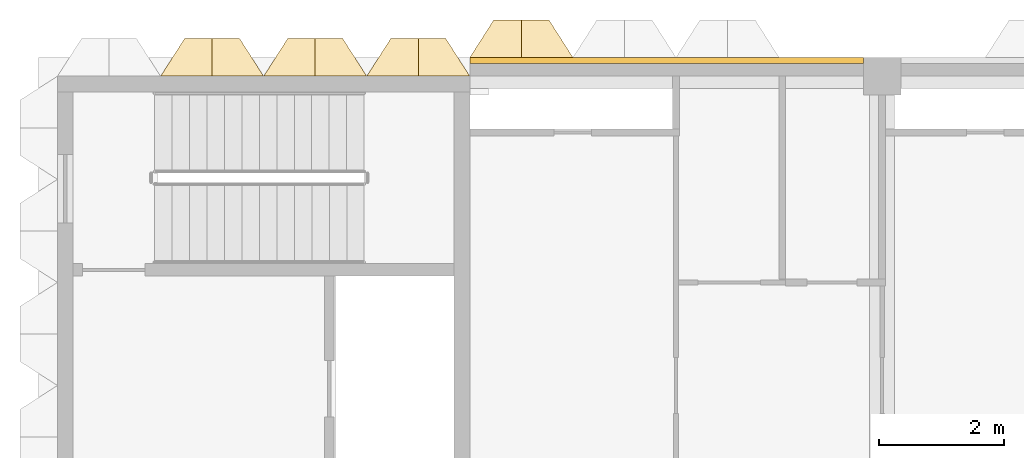
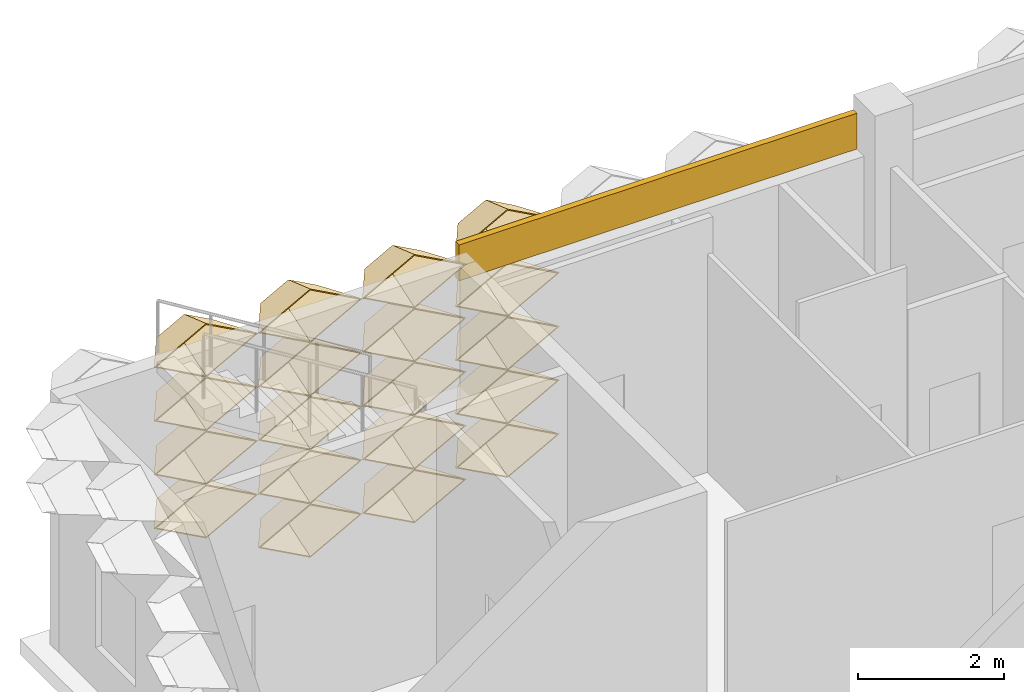
# One storey, part 77 of 87: 20 coverings.
"""IFC4 building model written with IfcOpenShell, lengths in metres."""

from ifc_helpers import new_model, entity, si_unit, direction, frame, frame_2d, origin, place, context, subcontext, project, spatial, rectangle, extrude, material, layer, layer_set, type_object, element, save


model = new_model("IFC4")

# Units and contexts
model_context = context("Model", 3, precision=1e-05, world=origin(), true_north=direction((0.0, 1.0)))
body_context = subcontext(model_context, "Body", "Model", "MODEL_VIEW")
ifc_project = project(units=[si_unit("LENGTHUNIT", "METRE"), si_unit("AREAUNIT", "SQUARE_METRE"), si_unit("VOLUMEUNIT", "CUBIC_METRE"), si_unit("PLANEANGLEUNIT", "RADIAN"), si_unit("MASSUNIT", "GRAM", prefix="KILO")], contexts=[model_context])

# Site, building, storey
site_placement = place(None, origin())
site = spatial("IfcSite", under=ifc_project, at=site_placement, CompositionType="ELEMENT")
building_placement = place(site_placement, origin())
building = spatial("IfcBuilding", under=site, at=building_placement, Name="Lantern Court Research Institute", CompositionType="ELEMENT")
storey_placement = place(building_placement, frame((0.0, 0.0, 5.39990234375)))
storey = spatial("IfcBuildingStorey", under=building, at=storey_placement, Name="L01", CompositionType="ELEMENT", Elevation=5.39990234375)

# Coverings
ifc_material_1 = material(Name="Aluminium composite panel with mineral wool insulation", Category="aluminium")
ifc_layer_1 = layer(ifc_material_1, 0.10009765625)
ifc_layer_set_1 = layer_set([ifc_layer_1], Name="Aluminium composite panel with mineral wool insulation")
covering_type_1 = type_object("IfcCoveringType", Name="Edge fascia panel 100 aluminium faced", PredefinedType="CLADDING", material=ifc_layer_set_1)
covering_1_placement = place(storey_placement, frame((6.60009765625, 99.25, 3.650146484375), z_axis=(0.0, 0.0, 1.0), x_axis=(1.0, 0.0, 0.0)))
element("IfcCovering", 1, at=covering_1_placement, inside=storey, type_object=covering_type_1, Name="Edge fascia V6N L01 01", PredefinedType="CLADDING", context=body_context, shape_type="SweptSolid", body=[
    extrude(rectangle(XDim=6.2998046875, YDim=0.10009765625, at=frame_2d((3.14990234375, 0.0))), origin(), (0.0, 0.0, 1.0), 0.599853515625),
])
ifc_material_2 = material(Name="Anodised aluminium", Category="aluminium")
ifc_layer_2 = layer(ifc_material_2, 0.01611328125)
ifc_layer_set_2 = layer_set([ifc_layer_2], Name="Anodised aluminium")
covering_type_2 = type_object("IfcCoveringType", Name="Fin cassette 1650 x 900 x 600 aluminium", PredefinedType="CLADDING", material=ifc_layer_set_2)
covering_2_placement = place(storey_placement, frame((4.125, 99.0, 0.4501953125), z_axis=(0.0, 1.0, 0.0), x_axis=(-1.0, 0.0, 0.0)))
cartesian_point_1 = entity("IfcCartesianPoint", [0.824951171875, 0.0])
cartesian_point_2 = entity("IfcCartesianPoint", [0.79150390625, 0.0])
cartesian_point_3 = entity("IfcCartesianPoint", [0.44189453125, 0.0])
cartesian_point_4 = entity("IfcCartesianPoint", [0.43359375, 0.0])
element("IfcCovering", 2, at=covering_2_placement, inside=storey, type_object=covering_type_2, Name="Fin cassette V6N-L01 1.3", PredefinedType="CLADDING", context=body_context, shape_type="SweptSolid", body=[
    entity("IfcExtrudedAreaSolidTapered", entity("IfcArbitraryProfileDefWithVoids", "AREA", None, entity("IfcPolyline", [cartesian_point_1, entity("IfcCartesianPoint", [0.0, 0.449951171875]), entity("IfcCartesianPoint", [-0.824951171875, 0.0]), entity("IfcCartesianPoint", [0.0, -0.449951171875]), cartesian_point_1]), [entity("IfcPolyline", [cartesian_point_2, entity("IfcCartesianPoint", [0.0, 0.431884765625]), entity("IfcCartesianPoint", [-0.79150390625, 0.0]), entity("IfcCartesianPoint", [0.0, -0.431884765625]), cartesian_point_2])]), entity("IfcAxis2Placement3D", entity("IfcCartesianPoint", [0.0, 0.0, 0.0])), entity("IfcDirection", [0.0, 0.0, 1.0]), 0.60009765625, entity("IfcArbitraryProfileDefWithVoids", "AREA", None, entity("IfcPolyline", [cartesian_point_3, entity("IfcCartesianPoint", [0.0, 0.240966796875]), entity("IfcCartesianPoint", [-0.44189453125, 0.0]), entity("IfcCartesianPoint", [0.0, -0.240966796875]), cartesian_point_3]), [entity("IfcPolyline", [cartesian_point_4, entity("IfcCartesianPoint", [0.0, 0.236572265625]), entity("IfcCartesianPoint", [-0.43359375, 0.0]), entity("IfcCartesianPoint", [0.0, -0.236572265625]), cartesian_point_4])])),
])
covering_3_placement = place(storey_placement, frame((5.77490234375, 99.0, 0.4501953125), z_axis=(0.0, 1.0, 0.0), x_axis=(-1.0, 0.0, 0.0)))
cartesian_point_5 = entity("IfcCartesianPoint", [0.824951171875, 0.0])
cartesian_point_6 = entity("IfcCartesianPoint", [0.79150390625, 0.0])
cartesian_point_7 = entity("IfcCartesianPoint", [0.44189453125, 0.0])
cartesian_point_8 = entity("IfcCartesianPoint", [0.43359375, 0.0])
element("IfcCovering", 3, at=covering_3_placement, inside=storey, type_object=covering_type_2, Name="Fin cassette V6N-L01 1.4", PredefinedType="CLADDING", context=body_context, shape_type="SweptSolid", body=[
    entity("IfcExtrudedAreaSolidTapered", entity("IfcArbitraryProfileDefWithVoids", "AREA", None, entity("IfcPolyline", [cartesian_point_5, entity("IfcCartesianPoint", [0.0, 0.449951171875]), entity("IfcCartesianPoint", [-0.824951171875, 0.0]), entity("IfcCartesianPoint", [0.0, -0.449951171875]), cartesian_point_5]), [entity("IfcPolyline", [cartesian_point_6, entity("IfcCartesianPoint", [0.0, 0.431884765625]), entity("IfcCartesianPoint", [-0.79150390625, 0.0]), entity("IfcCartesianPoint", [0.0, -0.431884765625]), cartesian_point_6])]), entity("IfcAxis2Placement3D", entity("IfcCartesianPoint", [0.0, 0.0, 0.0])), entity("IfcDirection", [0.0, 0.0, 1.0]), 0.60009765625, entity("IfcArbitraryProfileDefWithVoids", "AREA", None, entity("IfcPolyline", [cartesian_point_7, entity("IfcCartesianPoint", [0.0, 0.240966796875]), entity("IfcCartesianPoint", [-0.44189453125, 0.0]), entity("IfcCartesianPoint", [0.0, -0.240966796875]), cartesian_point_7]), [entity("IfcPolyline", [cartesian_point_8, entity("IfcCartesianPoint", [0.0, 0.236572265625]), entity("IfcCartesianPoint", [-0.43359375, 0.0]), entity("IfcCartesianPoint", [0.0, -0.236572265625]), cartesian_point_8])])),
])
covering_4_placement = place(storey_placement, frame((2.47509765625, 99.0, 1.35009765625), z_axis=(0.0, 1.0, 0.0), x_axis=(-1.0, 0.0, 0.0)))
cartesian_point_9 = entity("IfcCartesianPoint", [0.824951171875, 0.0])
cartesian_point_10 = entity("IfcCartesianPoint", [0.79150390625, 0.0])
cartesian_point_11 = entity("IfcCartesianPoint", [0.44189453125, 0.0])
cartesian_point_12 = entity("IfcCartesianPoint", [0.43359375, 0.0])
element("IfcCovering", 4, at=covering_4_placement, inside=storey, type_object=covering_type_2, Name="Fin cassette V6N-L01 2.2", PredefinedType="CLADDING", context=body_context, shape_type="SweptSolid", body=[
    entity("IfcExtrudedAreaSolidTapered", entity("IfcArbitraryProfileDefWithVoids", "AREA", None, entity("IfcPolyline", [cartesian_point_9, entity("IfcCartesianPoint", [0.0, 0.449951171875]), entity("IfcCartesianPoint", [-0.824951171875, 0.0]), entity("IfcCartesianPoint", [0.0, -0.449951171875]), cartesian_point_9]), [entity("IfcPolyline", [cartesian_point_10, entity("IfcCartesianPoint", [0.0, 0.431884765625]), entity("IfcCartesianPoint", [-0.79150390625, 0.0]), entity("IfcCartesianPoint", [0.0, -0.431884765625]), cartesian_point_10])]), entity("IfcAxis2Placement3D", entity("IfcCartesianPoint", [0.0, 0.0, 0.0])), entity("IfcDirection", [0.0, 0.0, 1.0]), 0.60009765625, entity("IfcArbitraryProfileDefWithVoids", "AREA", None, entity("IfcPolyline", [cartesian_point_11, entity("IfcCartesianPoint", [0.0, 0.240966796875]), entity("IfcCartesianPoint", [-0.44189453125, 0.0]), entity("IfcCartesianPoint", [0.0, -0.240966796875]), cartesian_point_11]), [entity("IfcPolyline", [cartesian_point_12, entity("IfcCartesianPoint", [0.0, 0.236572265625]), entity("IfcCartesianPoint", [-0.43359375, 0.0]), entity("IfcCartesianPoint", [0.0, -0.236572265625]), cartesian_point_12])])),
])
covering_5_placement = place(storey_placement, frame((4.125, 99.0, 1.35009765625), z_axis=(0.0, 1.0, 0.0), x_axis=(-1.0, 0.0, 0.0)))
cartesian_point_13 = entity("IfcCartesianPoint", [0.824951171875, 0.0])
cartesian_point_14 = entity("IfcCartesianPoint", [0.79150390625, 0.0])
cartesian_point_15 = entity("IfcCartesianPoint", [0.44189453125, 0.0])
cartesian_point_16 = entity("IfcCartesianPoint", [0.43359375, 0.0])
element("IfcCovering", 5, at=covering_5_placement, inside=storey, type_object=covering_type_2, Name="Fin cassette V6N-L01 2.3", PredefinedType="CLADDING", context=body_context, shape_type="SweptSolid", body=[
    entity("IfcExtrudedAreaSolidTapered", entity("IfcArbitraryProfileDefWithVoids", "AREA", None, entity("IfcPolyline", [cartesian_point_13, entity("IfcCartesianPoint", [0.0, 0.449951171875]), entity("IfcCartesianPoint", [-0.824951171875, 0.0]), entity("IfcCartesianPoint", [0.0, -0.449951171875]), cartesian_point_13]), [entity("IfcPolyline", [cartesian_point_14, entity("IfcCartesianPoint", [0.0, 0.431884765625]), entity("IfcCartesianPoint", [-0.79150390625, 0.0]), entity("IfcCartesianPoint", [0.0, -0.431884765625]), cartesian_point_14])]), entity("IfcAxis2Placement3D", entity("IfcCartesianPoint", [0.0, 0.0, 0.0])), entity("IfcDirection", [0.0, 0.0, 1.0]), 0.60009765625, entity("IfcArbitraryProfileDefWithVoids", "AREA", None, entity("IfcPolyline", [cartesian_point_15, entity("IfcCartesianPoint", [0.0, 0.240966796875]), entity("IfcCartesianPoint", [-0.44189453125, 0.0]), entity("IfcCartesianPoint", [0.0, -0.240966796875]), cartesian_point_15]), [entity("IfcPolyline", [cartesian_point_16, entity("IfcCartesianPoint", [0.0, 0.236572265625]), entity("IfcCartesianPoint", [-0.43359375, 0.0]), entity("IfcCartesianPoint", [0.0, -0.236572265625]), cartesian_point_16])])),
])
covering_6_placement = place(storey_placement, frame((5.77490234375, 99.0, 1.35009765625), z_axis=(0.0, 1.0, 0.0), x_axis=(-1.0, 0.0, 0.0)))
cartesian_point_17 = entity("IfcCartesianPoint", [0.824951171875, 0.0])
cartesian_point_18 = entity("IfcCartesianPoint", [0.79150390625, 0.0])
cartesian_point_19 = entity("IfcCartesianPoint", [0.44189453125, 0.0])
cartesian_point_20 = entity("IfcCartesianPoint", [0.43359375, 0.0])
element("IfcCovering", 6, at=covering_6_placement, inside=storey, type_object=covering_type_2, Name="Fin cassette V6N-L01 2.4", PredefinedType="CLADDING", context=body_context, shape_type="SweptSolid", body=[
    entity("IfcExtrudedAreaSolidTapered", entity("IfcArbitraryProfileDefWithVoids", "AREA", None, entity("IfcPolyline", [cartesian_point_17, entity("IfcCartesianPoint", [0.0, 0.449951171875]), entity("IfcCartesianPoint", [-0.824951171875, 0.0]), entity("IfcCartesianPoint", [0.0, -0.449951171875]), cartesian_point_17]), [entity("IfcPolyline", [cartesian_point_18, entity("IfcCartesianPoint", [0.0, 0.431884765625]), entity("IfcCartesianPoint", [-0.79150390625, 0.0]), entity("IfcCartesianPoint", [0.0, -0.431884765625]), cartesian_point_18])]), entity("IfcAxis2Placement3D", entity("IfcCartesianPoint", [0.0, 0.0, 0.0])), entity("IfcDirection", [0.0, 0.0, 1.0]), 0.60009765625, entity("IfcArbitraryProfileDefWithVoids", "AREA", None, entity("IfcPolyline", [cartesian_point_19, entity("IfcCartesianPoint", [0.0, 0.240966796875]), entity("IfcCartesianPoint", [-0.44189453125, 0.0]), entity("IfcCartesianPoint", [0.0, -0.240966796875]), cartesian_point_19]), [entity("IfcPolyline", [cartesian_point_20, entity("IfcCartesianPoint", [0.0, 0.236572265625]), entity("IfcCartesianPoint", [-0.43359375, 0.0]), entity("IfcCartesianPoint", [0.0, -0.236572265625]), cartesian_point_20])])),
])
covering_7_placement = place(storey_placement, frame((2.47509765625, 99.0, 2.25), z_axis=(0.0, 1.0, 0.0), x_axis=(-1.0, 0.0, 0.0)))
cartesian_point_21 = entity("IfcCartesianPoint", [0.824951171875, 0.0])
cartesian_point_22 = entity("IfcCartesianPoint", [0.79150390625, 0.0])
cartesian_point_23 = entity("IfcCartesianPoint", [0.44189453125, 0.0])
cartesian_point_24 = entity("IfcCartesianPoint", [0.43359375, 0.0])
element("IfcCovering", 7, at=covering_7_placement, inside=storey, type_object=covering_type_2, Name="Fin cassette V6N-L01 3.2", PredefinedType="CLADDING", context=body_context, shape_type="SweptSolid", body=[
    entity("IfcExtrudedAreaSolidTapered", entity("IfcArbitraryProfileDefWithVoids", "AREA", None, entity("IfcPolyline", [cartesian_point_21, entity("IfcCartesianPoint", [0.0, 0.449951171875]), entity("IfcCartesianPoint", [-0.824951171875, 0.0]), entity("IfcCartesianPoint", [0.0, -0.449951171875]), cartesian_point_21]), [entity("IfcPolyline", [cartesian_point_22, entity("IfcCartesianPoint", [0.0, 0.431884765625]), entity("IfcCartesianPoint", [-0.79150390625, 0.0]), entity("IfcCartesianPoint", [0.0, -0.431884765625]), cartesian_point_22])]), entity("IfcAxis2Placement3D", entity("IfcCartesianPoint", [0.0, 0.0, 0.0])), entity("IfcDirection", [0.0, 0.0, 1.0]), 0.60009765625, entity("IfcArbitraryProfileDefWithVoids", "AREA", None, entity("IfcPolyline", [cartesian_point_23, entity("IfcCartesianPoint", [0.0, 0.240966796875]), entity("IfcCartesianPoint", [-0.44189453125, 0.0]), entity("IfcCartesianPoint", [0.0, -0.240966796875]), cartesian_point_23]), [entity("IfcPolyline", [cartesian_point_24, entity("IfcCartesianPoint", [0.0, 0.236572265625]), entity("IfcCartesianPoint", [-0.43359375, 0.0]), entity("IfcCartesianPoint", [0.0, -0.236572265625]), cartesian_point_24])])),
])
covering_8_placement = place(storey_placement, frame((4.125, 99.0, 2.25), z_axis=(0.0, 1.0, 0.0), x_axis=(-1.0, 0.0, 0.0)))
cartesian_point_25 = entity("IfcCartesianPoint", [0.824951171875, 0.0])
cartesian_point_26 = entity("IfcCartesianPoint", [0.79150390625, 0.0])
cartesian_point_27 = entity("IfcCartesianPoint", [0.44189453125, 0.0])
cartesian_point_28 = entity("IfcCartesianPoint", [0.43359375, 0.0])
element("IfcCovering", 8, at=covering_8_placement, inside=storey, type_object=covering_type_2, Name="Fin cassette V6N-L01 3.3", PredefinedType="CLADDING", context=body_context, shape_type="SweptSolid", body=[
    entity("IfcExtrudedAreaSolidTapered", entity("IfcArbitraryProfileDefWithVoids", "AREA", None, entity("IfcPolyline", [cartesian_point_25, entity("IfcCartesianPoint", [0.0, 0.449951171875]), entity("IfcCartesianPoint", [-0.824951171875, 0.0]), entity("IfcCartesianPoint", [0.0, -0.449951171875]), cartesian_point_25]), [entity("IfcPolyline", [cartesian_point_26, entity("IfcCartesianPoint", [0.0, 0.431884765625]), entity("IfcCartesianPoint", [-0.79150390625, 0.0]), entity("IfcCartesianPoint", [0.0, -0.431884765625]), cartesian_point_26])]), entity("IfcAxis2Placement3D", entity("IfcCartesianPoint", [0.0, 0.0, 0.0])), entity("IfcDirection", [0.0, 0.0, 1.0]), 0.60009765625, entity("IfcArbitraryProfileDefWithVoids", "AREA", None, entity("IfcPolyline", [cartesian_point_27, entity("IfcCartesianPoint", [0.0, 0.240966796875]), entity("IfcCartesianPoint", [-0.44189453125, 0.0]), entity("IfcCartesianPoint", [0.0, -0.240966796875]), cartesian_point_27]), [entity("IfcPolyline", [cartesian_point_28, entity("IfcCartesianPoint", [0.0, 0.236572265625]), entity("IfcCartesianPoint", [-0.43359375, 0.0]), entity("IfcCartesianPoint", [0.0, -0.236572265625]), cartesian_point_28])])),
])
covering_9_placement = place(storey_placement, frame((5.77490234375, 99.0, 2.25), z_axis=(0.0, 1.0, 0.0), x_axis=(-1.0, 0.0, 0.0)))
cartesian_point_29 = entity("IfcCartesianPoint", [0.824951171875, 0.0])
cartesian_point_30 = entity("IfcCartesianPoint", [0.79150390625, 0.0])
cartesian_point_31 = entity("IfcCartesianPoint", [0.44189453125, 0.0])
cartesian_point_32 = entity("IfcCartesianPoint", [0.43359375, 0.0])
element("IfcCovering", 9, at=covering_9_placement, inside=storey, type_object=covering_type_2, Name="Fin cassette V6N-L01 3.4", PredefinedType="CLADDING", context=body_context, shape_type="SweptSolid", body=[
    entity("IfcExtrudedAreaSolidTapered", entity("IfcArbitraryProfileDefWithVoids", "AREA", None, entity("IfcPolyline", [cartesian_point_29, entity("IfcCartesianPoint", [0.0, 0.449951171875]), entity("IfcCartesianPoint", [-0.824951171875, 0.0]), entity("IfcCartesianPoint", [0.0, -0.449951171875]), cartesian_point_29]), [entity("IfcPolyline", [cartesian_point_30, entity("IfcCartesianPoint", [0.0, 0.431884765625]), entity("IfcCartesianPoint", [-0.79150390625, 0.0]), entity("IfcCartesianPoint", [0.0, -0.431884765625]), cartesian_point_30])]), entity("IfcAxis2Placement3D", entity("IfcCartesianPoint", [0.0, 0.0, 0.0])), entity("IfcDirection", [0.0, 0.0, 1.0]), 0.60009765625, entity("IfcArbitraryProfileDefWithVoids", "AREA", None, entity("IfcPolyline", [cartesian_point_31, entity("IfcCartesianPoint", [0.0, 0.240966796875]), entity("IfcCartesianPoint", [-0.44189453125, 0.0]), entity("IfcCartesianPoint", [0.0, -0.240966796875]), cartesian_point_31]), [entity("IfcPolyline", [cartesian_point_32, entity("IfcCartesianPoint", [0.0, 0.236572265625]), entity("IfcCartesianPoint", [-0.43359375, 0.0]), entity("IfcCartesianPoint", [0.0, -0.236572265625]), cartesian_point_32])])),
])
covering_10_placement = place(storey_placement, frame((2.47509765625, 99.0, 3.150146484375), z_axis=(0.0, 1.0, 0.0), x_axis=(-1.0, 0.0, 0.0)))
cartesian_point_33 = entity("IfcCartesianPoint", [0.824951171875, 0.0])
cartesian_point_34 = entity("IfcCartesianPoint", [0.79150390625, 0.0])
cartesian_point_35 = entity("IfcCartesianPoint", [0.44189453125, 0.0])
cartesian_point_36 = entity("IfcCartesianPoint", [0.43359375, 0.0])
element("IfcCovering", 10, at=covering_10_placement, inside=storey, type_object=covering_type_2, Name="Fin cassette V6N-L01 4.2", PredefinedType="CLADDING", context=body_context, shape_type="SweptSolid", body=[
    entity("IfcExtrudedAreaSolidTapered", entity("IfcArbitraryProfileDefWithVoids", "AREA", None, entity("IfcPolyline", [cartesian_point_33, entity("IfcCartesianPoint", [0.0, 0.449951171875]), entity("IfcCartesianPoint", [-0.824951171875, 0.0]), entity("IfcCartesianPoint", [0.0, -0.449951171875]), cartesian_point_33]), [entity("IfcPolyline", [cartesian_point_34, entity("IfcCartesianPoint", [0.0, 0.431884765625]), entity("IfcCartesianPoint", [-0.79150390625, 0.0]), entity("IfcCartesianPoint", [0.0, -0.431884765625]), cartesian_point_34])]), entity("IfcAxis2Placement3D", entity("IfcCartesianPoint", [0.0, 0.0, 0.0])), entity("IfcDirection", [0.0, 0.0, 1.0]), 0.60009765625, entity("IfcArbitraryProfileDefWithVoids", "AREA", None, entity("IfcPolyline", [cartesian_point_35, entity("IfcCartesianPoint", [0.0, 0.240966796875]), entity("IfcCartesianPoint", [-0.44189453125, 0.0]), entity("IfcCartesianPoint", [0.0, -0.240966796875]), cartesian_point_35]), [entity("IfcPolyline", [cartesian_point_36, entity("IfcCartesianPoint", [0.0, 0.236572265625]), entity("IfcCartesianPoint", [-0.43359375, 0.0]), entity("IfcCartesianPoint", [0.0, -0.236572265625]), cartesian_point_36])])),
])
covering_11_placement = place(storey_placement, frame((4.125, 99.0, 3.150146484375), z_axis=(0.0, 1.0, 0.0), x_axis=(-1.0, 0.0, 0.0)))
cartesian_point_37 = entity("IfcCartesianPoint", [0.824951171875, 0.0])
cartesian_point_38 = entity("IfcCartesianPoint", [0.79150390625, 0.0])
cartesian_point_39 = entity("IfcCartesianPoint", [0.44189453125, 0.0])
cartesian_point_40 = entity("IfcCartesianPoint", [0.43359375, 0.0])
element("IfcCovering", 11, at=covering_11_placement, inside=storey, type_object=covering_type_2, Name="Fin cassette V6N-L01 4.3", PredefinedType="CLADDING", context=body_context, shape_type="SweptSolid", body=[
    entity("IfcExtrudedAreaSolidTapered", entity("IfcArbitraryProfileDefWithVoids", "AREA", None, entity("IfcPolyline", [cartesian_point_37, entity("IfcCartesianPoint", [0.0, 0.449951171875]), entity("IfcCartesianPoint", [-0.824951171875, 0.0]), entity("IfcCartesianPoint", [0.0, -0.449951171875]), cartesian_point_37]), [entity("IfcPolyline", [cartesian_point_38, entity("IfcCartesianPoint", [0.0, 0.431884765625]), entity("IfcCartesianPoint", [-0.79150390625, 0.0]), entity("IfcCartesianPoint", [0.0, -0.431884765625]), cartesian_point_38])]), entity("IfcAxis2Placement3D", entity("IfcCartesianPoint", [0.0, 0.0, 0.0])), entity("IfcDirection", [0.0, 0.0, 1.0]), 0.60009765625, entity("IfcArbitraryProfileDefWithVoids", "AREA", None, entity("IfcPolyline", [cartesian_point_39, entity("IfcCartesianPoint", [0.0, 0.240966796875]), entity("IfcCartesianPoint", [-0.44189453125, 0.0]), entity("IfcCartesianPoint", [0.0, -0.240966796875]), cartesian_point_39]), [entity("IfcPolyline", [cartesian_point_40, entity("IfcCartesianPoint", [0.0, 0.236572265625]), entity("IfcCartesianPoint", [-0.43359375, 0.0]), entity("IfcCartesianPoint", [0.0, -0.236572265625]), cartesian_point_40])])),
])
covering_12_placement = place(storey_placement, frame((5.77490234375, 99.0, 3.150146484375), z_axis=(0.0, 1.0, 0.0), x_axis=(-1.0, 0.0, 0.0)))
cartesian_point_41 = entity("IfcCartesianPoint", [0.824951171875, 0.0])
cartesian_point_42 = entity("IfcCartesianPoint", [0.79150390625, 0.0])
cartesian_point_43 = entity("IfcCartesianPoint", [0.44189453125, 0.0])
cartesian_point_44 = entity("IfcCartesianPoint", [0.43359375, 0.0])
element("IfcCovering", 12, at=covering_12_placement, inside=storey, type_object=covering_type_2, Name="Fin cassette V6N-L01 4.4", PredefinedType="CLADDING", context=body_context, shape_type="SweptSolid", body=[
    entity("IfcExtrudedAreaSolidTapered", entity("IfcArbitraryProfileDefWithVoids", "AREA", None, entity("IfcPolyline", [cartesian_point_41, entity("IfcCartesianPoint", [0.0, 0.449951171875]), entity("IfcCartesianPoint", [-0.824951171875, 0.0]), entity("IfcCartesianPoint", [0.0, -0.449951171875]), cartesian_point_41]), [entity("IfcPolyline", [cartesian_point_42, entity("IfcCartesianPoint", [0.0, 0.431884765625]), entity("IfcCartesianPoint", [-0.79150390625, 0.0]), entity("IfcCartesianPoint", [0.0, -0.431884765625]), cartesian_point_42])]), entity("IfcAxis2Placement3D", entity("IfcCartesianPoint", [0.0, 0.0, 0.0])), entity("IfcDirection", [0.0, 0.0, 1.0]), 0.60009765625, entity("IfcArbitraryProfileDefWithVoids", "AREA", None, entity("IfcPolyline", [cartesian_point_43, entity("IfcCartesianPoint", [0.0, 0.240966796875]), entity("IfcCartesianPoint", [-0.44189453125, 0.0]), entity("IfcCartesianPoint", [0.0, -0.240966796875]), cartesian_point_43]), [entity("IfcPolyline", [cartesian_point_44, entity("IfcCartesianPoint", [0.0, 0.236572265625]), entity("IfcCartesianPoint", [-0.43359375, 0.0]), entity("IfcCartesianPoint", [0.0, -0.236572265625]), cartesian_point_44])])),
])
covering_13_placement = place(storey_placement, frame((2.47509765625, 99.0, 4.050048828125), z_axis=(0.0, 1.0, 0.0), x_axis=(-1.0, 0.0, 0.0)))
cartesian_point_45 = entity("IfcCartesianPoint", [0.824951171875, 0.0])
cartesian_point_46 = entity("IfcCartesianPoint", [0.79150390625, 0.0])
cartesian_point_47 = entity("IfcCartesianPoint", [0.44189453125, 0.0])
cartesian_point_48 = entity("IfcCartesianPoint", [0.43359375, 0.0])
element("IfcCovering", 13, at=covering_13_placement, inside=storey, type_object=covering_type_2, Name="Fin cassette V6N-L01 5.2", PredefinedType="CLADDING", context=body_context, shape_type="SweptSolid", body=[
    entity("IfcExtrudedAreaSolidTapered", entity("IfcArbitraryProfileDefWithVoids", "AREA", None, entity("IfcPolyline", [cartesian_point_45, entity("IfcCartesianPoint", [0.0, 0.449951171875]), entity("IfcCartesianPoint", [-0.824951171875, 0.0]), entity("IfcCartesianPoint", [0.0, -0.449951171875]), cartesian_point_45]), [entity("IfcPolyline", [cartesian_point_46, entity("IfcCartesianPoint", [0.0, 0.431884765625]), entity("IfcCartesianPoint", [-0.79150390625, 0.0]), entity("IfcCartesianPoint", [0.0, -0.431884765625]), cartesian_point_46])]), entity("IfcAxis2Placement3D", entity("IfcCartesianPoint", [0.0, 0.0, 0.0])), entity("IfcDirection", [0.0, 0.0, 1.0]), 0.60009765625, entity("IfcArbitraryProfileDefWithVoids", "AREA", None, entity("IfcPolyline", [cartesian_point_47, entity("IfcCartesianPoint", [0.0, 0.240966796875]), entity("IfcCartesianPoint", [-0.44189453125, 0.0]), entity("IfcCartesianPoint", [0.0, -0.240966796875]), cartesian_point_47]), [entity("IfcPolyline", [cartesian_point_48, entity("IfcCartesianPoint", [0.0, 0.236572265625]), entity("IfcCartesianPoint", [-0.43359375, 0.0]), entity("IfcCartesianPoint", [0.0, -0.236572265625]), cartesian_point_48])])),
])
covering_14_placement = place(storey_placement, frame((4.125, 99.0, 4.050048828125), z_axis=(0.0, 1.0, 0.0), x_axis=(-1.0, 0.0, 0.0)))
cartesian_point_49 = entity("IfcCartesianPoint", [0.824951171875, 0.0])
cartesian_point_50 = entity("IfcCartesianPoint", [0.79150390625, 0.0])
cartesian_point_51 = entity("IfcCartesianPoint", [0.44189453125, 0.0])
cartesian_point_52 = entity("IfcCartesianPoint", [0.43359375, 0.0])
element("IfcCovering", 14, at=covering_14_placement, inside=storey, type_object=covering_type_2, Name="Fin cassette V6N-L01 5.3", PredefinedType="CLADDING", context=body_context, shape_type="SweptSolid", body=[
    entity("IfcExtrudedAreaSolidTapered", entity("IfcArbitraryProfileDefWithVoids", "AREA", None, entity("IfcPolyline", [cartesian_point_49, entity("IfcCartesianPoint", [0.0, 0.449951171875]), entity("IfcCartesianPoint", [-0.824951171875, 0.0]), entity("IfcCartesianPoint", [0.0, -0.449951171875]), cartesian_point_49]), [entity("IfcPolyline", [cartesian_point_50, entity("IfcCartesianPoint", [0.0, 0.431884765625]), entity("IfcCartesianPoint", [-0.79150390625, 0.0]), entity("IfcCartesianPoint", [0.0, -0.431884765625]), cartesian_point_50])]), entity("IfcAxis2Placement3D", entity("IfcCartesianPoint", [0.0, 0.0, 0.0])), entity("IfcDirection", [0.0, 0.0, 1.0]), 0.60009765625, entity("IfcArbitraryProfileDefWithVoids", "AREA", None, entity("IfcPolyline", [cartesian_point_51, entity("IfcCartesianPoint", [0.0, 0.240966796875]), entity("IfcCartesianPoint", [-0.44189453125, 0.0]), entity("IfcCartesianPoint", [0.0, -0.240966796875]), cartesian_point_51]), [entity("IfcPolyline", [cartesian_point_52, entity("IfcCartesianPoint", [0.0, 0.236572265625]), entity("IfcCartesianPoint", [-0.43359375, 0.0]), entity("IfcCartesianPoint", [0.0, -0.236572265625]), cartesian_point_52])])),
])
covering_15_placement = place(storey_placement, frame((5.77490234375, 99.0, 4.050048828125), z_axis=(0.0, 1.0, 0.0), x_axis=(-1.0, 0.0, 0.0)))
cartesian_point_53 = entity("IfcCartesianPoint", [0.824951171875, 0.0])
cartesian_point_54 = entity("IfcCartesianPoint", [0.79150390625, 0.0])
cartesian_point_55 = entity("IfcCartesianPoint", [0.44189453125, 0.0])
cartesian_point_56 = entity("IfcCartesianPoint", [0.43359375, 0.0])
element("IfcCovering", 15, at=covering_15_placement, inside=storey, type_object=covering_type_2, Name="Fin cassette V6N-L01 5.4", PredefinedType="CLADDING", context=body_context, shape_type="SweptSolid", body=[
    entity("IfcExtrudedAreaSolidTapered", entity("IfcArbitraryProfileDefWithVoids", "AREA", None, entity("IfcPolyline", [cartesian_point_53, entity("IfcCartesianPoint", [0.0, 0.449951171875]), entity("IfcCartesianPoint", [-0.824951171875, 0.0]), entity("IfcCartesianPoint", [0.0, -0.449951171875]), cartesian_point_53]), [entity("IfcPolyline", [cartesian_point_54, entity("IfcCartesianPoint", [0.0, 0.431884765625]), entity("IfcCartesianPoint", [-0.79150390625, 0.0]), entity("IfcCartesianPoint", [0.0, -0.431884765625]), cartesian_point_54])]), entity("IfcAxis2Placement3D", entity("IfcCartesianPoint", [0.0, 0.0, 0.0])), entity("IfcDirection", [0.0, 0.0, 1.0]), 0.60009765625, entity("IfcArbitraryProfileDefWithVoids", "AREA", None, entity("IfcPolyline", [cartesian_point_55, entity("IfcCartesianPoint", [0.0, 0.240966796875]), entity("IfcCartesianPoint", [-0.44189453125, 0.0]), entity("IfcCartesianPoint", [0.0, -0.240966796875]), cartesian_point_55]), [entity("IfcPolyline", [cartesian_point_56, entity("IfcCartesianPoint", [0.0, 0.236572265625]), entity("IfcCartesianPoint", [-0.43359375, 0.0]), entity("IfcCartesianPoint", [0.0, -0.236572265625]), cartesian_point_56])])),
])
covering_16_placement = place(storey_placement, frame((7.425048828125, 99.300048828125, 0.4501953125), z_axis=(0.0, 1.0, 0.0), x_axis=(-1.0, 0.0, 0.0)))
cartesian_point_57 = entity("IfcCartesianPoint", [0.824951171875, 0.0])
cartesian_point_58 = entity("IfcCartesianPoint", [0.79150390625, 0.0])
cartesian_point_59 = entity("IfcCartesianPoint", [0.44189453125, 0.0])
cartesian_point_60 = entity("IfcCartesianPoint", [0.43359375, 0.0])
element("IfcCovering", 16, at=covering_16_placement, inside=storey, type_object=covering_type_2, Name="Fin cassette V6N-L01 1.5", PredefinedType="CLADDING", context=body_context, shape_type="SweptSolid", body=[
    entity("IfcExtrudedAreaSolidTapered", entity("IfcArbitraryProfileDefWithVoids", "AREA", None, entity("IfcPolyline", [cartesian_point_57, entity("IfcCartesianPoint", [0.0, 0.449951171875]), entity("IfcCartesianPoint", [-0.824951171875, 0.0]), entity("IfcCartesianPoint", [0.0, -0.449951171875]), cartesian_point_57]), [entity("IfcPolyline", [cartesian_point_58, entity("IfcCartesianPoint", [0.0, 0.431884765625]), entity("IfcCartesianPoint", [-0.79150390625, 0.0]), entity("IfcCartesianPoint", [0.0, -0.431884765625]), cartesian_point_58])]), entity("IfcAxis2Placement3D", entity("IfcCartesianPoint", [0.0, 0.0, 0.0])), entity("IfcDirection", [0.0, 0.0, 1.0]), 0.60009765625, entity("IfcArbitraryProfileDefWithVoids", "AREA", None, entity("IfcPolyline", [cartesian_point_59, entity("IfcCartesianPoint", [0.0, 0.240966796875]), entity("IfcCartesianPoint", [-0.44189453125, 0.0]), entity("IfcCartesianPoint", [0.0, -0.240966796875]), cartesian_point_59]), [entity("IfcPolyline", [cartesian_point_60, entity("IfcCartesianPoint", [0.0, 0.236572265625]), entity("IfcCartesianPoint", [-0.43359375, 0.0]), entity("IfcCartesianPoint", [0.0, -0.236572265625]), cartesian_point_60])])),
])
covering_17_placement = place(storey_placement, frame((7.425048828125, 99.300048828125, 1.35009765625), z_axis=(0.0, 1.0, 0.0), x_axis=(-1.0, 0.0, 0.0)))
cartesian_point_61 = entity("IfcCartesianPoint", [0.824951171875, 0.0])
cartesian_point_62 = entity("IfcCartesianPoint", [0.79150390625, 0.0])
cartesian_point_63 = entity("IfcCartesianPoint", [0.44189453125, 0.0])
cartesian_point_64 = entity("IfcCartesianPoint", [0.43359375, 0.0])
element("IfcCovering", 17, at=covering_17_placement, inside=storey, type_object=covering_type_2, Name="Fin cassette V6N-L01 2.5", PredefinedType="CLADDING", context=body_context, shape_type="SweptSolid", body=[
    entity("IfcExtrudedAreaSolidTapered", entity("IfcArbitraryProfileDefWithVoids", "AREA", None, entity("IfcPolyline", [cartesian_point_61, entity("IfcCartesianPoint", [0.0, 0.449951171875]), entity("IfcCartesianPoint", [-0.824951171875, 0.0]), entity("IfcCartesianPoint", [0.0, -0.449951171875]), cartesian_point_61]), [entity("IfcPolyline", [cartesian_point_62, entity("IfcCartesianPoint", [0.0, 0.431884765625]), entity("IfcCartesianPoint", [-0.79150390625, 0.0]), entity("IfcCartesianPoint", [0.0, -0.431884765625]), cartesian_point_62])]), entity("IfcAxis2Placement3D", entity("IfcCartesianPoint", [0.0, 0.0, 0.0])), entity("IfcDirection", [0.0, 0.0, 1.0]), 0.60009765625, entity("IfcArbitraryProfileDefWithVoids", "AREA", None, entity("IfcPolyline", [cartesian_point_63, entity("IfcCartesianPoint", [0.0, 0.240966796875]), entity("IfcCartesianPoint", [-0.44189453125, 0.0]), entity("IfcCartesianPoint", [0.0, -0.240966796875]), cartesian_point_63]), [entity("IfcPolyline", [cartesian_point_64, entity("IfcCartesianPoint", [0.0, 0.236572265625]), entity("IfcCartesianPoint", [-0.43359375, 0.0]), entity("IfcCartesianPoint", [0.0, -0.236572265625]), cartesian_point_64])])),
])
covering_18_placement = place(storey_placement, frame((7.425048828125, 99.300048828125, 2.25), z_axis=(0.0, 1.0, 0.0), x_axis=(-1.0, 0.0, 0.0)))
cartesian_point_65 = entity("IfcCartesianPoint", [0.824951171875, 0.0])
cartesian_point_66 = entity("IfcCartesianPoint", [0.79150390625, 0.0])
cartesian_point_67 = entity("IfcCartesianPoint", [0.44189453125, 0.0])
cartesian_point_68 = entity("IfcCartesianPoint", [0.43359375, 0.0])
element("IfcCovering", 18, at=covering_18_placement, inside=storey, type_object=covering_type_2, Name="Fin cassette V6N-L01 3.5", PredefinedType="CLADDING", context=body_context, shape_type="SweptSolid", body=[
    entity("IfcExtrudedAreaSolidTapered", entity("IfcArbitraryProfileDefWithVoids", "AREA", None, entity("IfcPolyline", [cartesian_point_65, entity("IfcCartesianPoint", [0.0, 0.449951171875]), entity("IfcCartesianPoint", [-0.824951171875, 0.0]), entity("IfcCartesianPoint", [0.0, -0.449951171875]), cartesian_point_65]), [entity("IfcPolyline", [cartesian_point_66, entity("IfcCartesianPoint", [0.0, 0.431884765625]), entity("IfcCartesianPoint", [-0.79150390625, 0.0]), entity("IfcCartesianPoint", [0.0, -0.431884765625]), cartesian_point_66])]), entity("IfcAxis2Placement3D", entity("IfcCartesianPoint", [0.0, 0.0, 0.0])), entity("IfcDirection", [0.0, 0.0, 1.0]), 0.60009765625, entity("IfcArbitraryProfileDefWithVoids", "AREA", None, entity("IfcPolyline", [cartesian_point_67, entity("IfcCartesianPoint", [0.0, 0.240966796875]), entity("IfcCartesianPoint", [-0.44189453125, 0.0]), entity("IfcCartesianPoint", [0.0, -0.240966796875]), cartesian_point_67]), [entity("IfcPolyline", [cartesian_point_68, entity("IfcCartesianPoint", [0.0, 0.236572265625]), entity("IfcCartesianPoint", [-0.43359375, 0.0]), entity("IfcCartesianPoint", [0.0, -0.236572265625]), cartesian_point_68])])),
])
covering_19_placement = place(storey_placement, frame((7.425048828125, 99.300048828125, 3.150146484375), z_axis=(0.0, 1.0, 0.0), x_axis=(-1.0, 0.0, 0.0)))
cartesian_point_69 = entity("IfcCartesianPoint", [0.824951171875, 0.0])
cartesian_point_70 = entity("IfcCartesianPoint", [0.79150390625, 0.0])
cartesian_point_71 = entity("IfcCartesianPoint", [0.44189453125, 0.0])
cartesian_point_72 = entity("IfcCartesianPoint", [0.43359375, 0.0])
element("IfcCovering", 19, at=covering_19_placement, inside=storey, type_object=covering_type_2, Name="Fin cassette V6N-L01 4.5", PredefinedType="CLADDING", context=body_context, shape_type="SweptSolid", body=[
    entity("IfcExtrudedAreaSolidTapered", entity("IfcArbitraryProfileDefWithVoids", "AREA", None, entity("IfcPolyline", [cartesian_point_69, entity("IfcCartesianPoint", [0.0, 0.449951171875]), entity("IfcCartesianPoint", [-0.824951171875, 0.0]), entity("IfcCartesianPoint", [0.0, -0.449951171875]), cartesian_point_69]), [entity("IfcPolyline", [cartesian_point_70, entity("IfcCartesianPoint", [0.0, 0.431884765625]), entity("IfcCartesianPoint", [-0.79150390625, 0.0]), entity("IfcCartesianPoint", [0.0, -0.431884765625]), cartesian_point_70])]), entity("IfcAxis2Placement3D", entity("IfcCartesianPoint", [0.0, 0.0, 0.0])), entity("IfcDirection", [0.0, 0.0, 1.0]), 0.60009765625, entity("IfcArbitraryProfileDefWithVoids", "AREA", None, entity("IfcPolyline", [cartesian_point_71, entity("IfcCartesianPoint", [0.0, 0.240966796875]), entity("IfcCartesianPoint", [-0.44189453125, 0.0]), entity("IfcCartesianPoint", [0.0, -0.240966796875]), cartesian_point_71]), [entity("IfcPolyline", [cartesian_point_72, entity("IfcCartesianPoint", [0.0, 0.236572265625]), entity("IfcCartesianPoint", [-0.43359375, 0.0]), entity("IfcCartesianPoint", [0.0, -0.236572265625]), cartesian_point_72])])),
])
covering_20_placement = place(storey_placement, frame((7.425048828125, 99.300048828125, 4.050048828125), z_axis=(0.0, 1.0, 0.0), x_axis=(-1.0, 0.0, 0.0)))
cartesian_point_73 = entity("IfcCartesianPoint", [0.824951171875, 0.0])
cartesian_point_74 = entity("IfcCartesianPoint", [0.79150390625, 0.0])
cartesian_point_75 = entity("IfcCartesianPoint", [0.44189453125, 0.0])
cartesian_point_76 = entity("IfcCartesianPoint", [0.43359375, 0.0])
element("IfcCovering", 20, at=covering_20_placement, inside=storey, type_object=covering_type_2, Name="Fin cassette V6N-L01 5.5", PredefinedType="CLADDING", context=body_context, shape_type="SweptSolid", body=[
    entity("IfcExtrudedAreaSolidTapered", entity("IfcArbitraryProfileDefWithVoids", "AREA", None, entity("IfcPolyline", [cartesian_point_73, entity("IfcCartesianPoint", [0.0, 0.449951171875]), entity("IfcCartesianPoint", [-0.824951171875, 0.0]), entity("IfcCartesianPoint", [0.0, -0.449951171875]), cartesian_point_73]), [entity("IfcPolyline", [cartesian_point_74, entity("IfcCartesianPoint", [0.0, 0.431884765625]), entity("IfcCartesianPoint", [-0.79150390625, 0.0]), entity("IfcCartesianPoint", [0.0, -0.431884765625]), cartesian_point_74])]), entity("IfcAxis2Placement3D", entity("IfcCartesianPoint", [0.0, 0.0, 0.0])), entity("IfcDirection", [0.0, 0.0, 1.0]), 0.60009765625, entity("IfcArbitraryProfileDefWithVoids", "AREA", None, entity("IfcPolyline", [cartesian_point_75, entity("IfcCartesianPoint", [0.0, 0.240966796875]), entity("IfcCartesianPoint", [-0.44189453125, 0.0]), entity("IfcCartesianPoint", [0.0, -0.240966796875]), cartesian_point_75]), [entity("IfcPolyline", [cartesian_point_76, entity("IfcCartesianPoint", [0.0, 0.236572265625]), entity("IfcCartesianPoint", [-0.43359375, 0.0]), entity("IfcCartesianPoint", [0.0, -0.236572265625]), cartesian_point_76])])),
])

save(model, "model.ifc")
